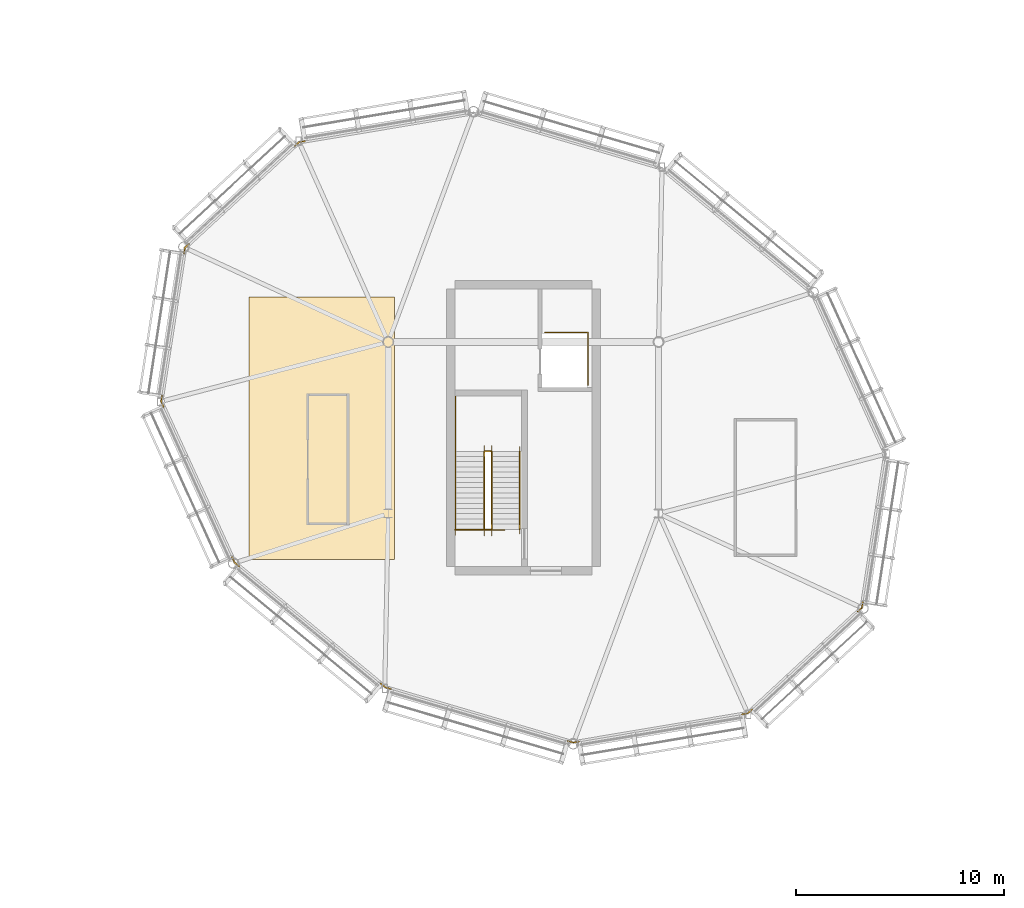
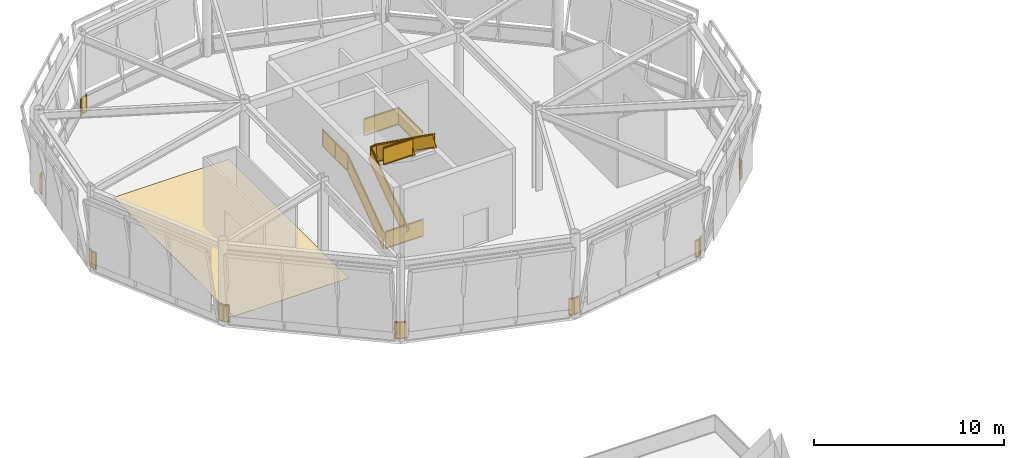
# One storey, part 86 of 90: 14 railings, 1 covering.
"""IFC4 building model written with IfcOpenShell, lengths in metres."""

import ifcopenshell
import ifcopenshell.guid

model = None  # the IFC model being written
_history = None  # IfcOwnerHistory: only IFC2X3 demands one
_inside = {}  # id of a spatial element -> (the spatial element, [elements in it])
_under = {}  # id of a project, library or spatial element -> (it, [spatial elements below it])
_declared = {}  # id of a project -> (the project, [libraries it declares])
_typed = {}  # id of a type object -> (the type object, [elements of that type])
_made_of = {}  # id of a material, layer set ... -> (it, [elements and type objects made of it])


def new_model(schema):
    """Start an empty IFC model of exactly this schema.

    Asked for "IFC4X3", IfcOpenShell would pick the latest addendum, in which some entities
    have other attributes; the version numbers below select the first issue.
    IFC2X3 requires an IfcOwnerHistory on every rooted entity: one is made here for all.
    """
    global model, _history
    if schema == "IFC4X3":
        model = ifcopenshell.file(schema_version=(4, 3, 0, 0))
    else:
        model = ifcopenshell.file(schema=schema)
    _inside.clear()
    _under.clear()
    _declared.clear()
    _typed.clear()
    _made_of.clear()
    _history = None
    if model.schema == "IFC2X3":
        org = make("IfcOrganization", Name="unknown")
        user = make(
            "IfcPersonAndOrganization",
            ThePerson=make("IfcPerson", FamilyName="unknown"),
            TheOrganization=org,
        )
        app = make(
            "IfcApplication",
            ApplicationDeveloper=org,
            Version="unknown",
            ApplicationFullName="unknown",
            ApplicationIdentifier="unknown",
        )
        _history = make(
            "IfcOwnerHistory",
            OwningUser=user,
            OwningApplication=app,
            ChangeAction="ADDED",
            CreationDate=0,
        )
    return model


def make(cls, **values):
    """One entity of the class cls with the attributes given. An attribute that is None is left unset."""
    return model.create_entity(
        cls, **{name: value for name, value in values.items() if value is not None}
    )


def rooted(cls, **values):
    """An entity with a GlobalId (a new one), such as an element, a storey or a relation."""
    return make(cls, GlobalId=ifcopenshell.guid.new(), OwnerHistory=_history, **values)


def si_unit(unit_type, name, prefix=None):
    """IfcSIUnit, for example si_unit("LENGTHUNIT", "METRE", prefix="MILLI")."""
    return make("IfcSIUnit", UnitType=unit_type, Prefix=prefix, Name=name)


def assignment(units):
    """IfcUnitAssignment: the units of a project."""
    return None if units is None else make("IfcUnitAssignment", Units=units)


def point(xyz):
    """IfcCartesianPoint."""
    return None if xyz is None else make("IfcCartesianPoint", Coordinates=xyz)


def direction(xyz):
    """IfcDirection."""
    return None if xyz is None else make("IfcDirection", DirectionRatios=xyz)


def frame(location, z_axis=None, x_axis=None):
    """IfcAxis2Placement3D, a coordinate frame: its origin and axes. An axis left out is left unset."""
    return make(
        "IfcAxis2Placement3D",
        Location=point(location),
        Axis=direction(z_axis),
        RefDirection=direction(x_axis),
    )


def frame_2d(location, x_axis=None):
    """IfcAxis2Placement2D, a coordinate frame in the plane: its origin and x axis."""
    return make(
        "IfcAxis2Placement2D", Location=point(location), RefDirection=direction(x_axis)
    )


def origin():
    """The frame at (0, 0, 0) with its axes left unset."""
    return frame((0.0, 0.0, 0.0))


def origin_2d():
    """The frame at (0, 0) in the plane with its x axis left unset."""
    return frame_2d((0.0, 0.0))


def place(relative_to, where):
    """IfcLocalPlacement: puts the frame where relative to a parent placement (None: the world)."""
    return make(
        "IfcLocalPlacement", PlacementRelTo=relative_to, RelativePlacement=where
    )


def context(
    kind, dimensions, precision=None, world=None, true_north=None, identifier=None
):
    """IfcGeometricRepresentationContext, for example the 3D "Model" context."""
    return make(
        "IfcGeometricRepresentationContext",
        ContextIdentifier=identifier,
        ContextType=kind,
        CoordinateSpaceDimension=dimensions,
        Precision=precision,
        WorldCoordinateSystem=world,
        TrueNorth=true_north,
    )


def subcontext(parent, identifier, kind, view, scale=None):
    """IfcGeometricRepresentationSubContext, for example "Body" below "Model"."""
    return make(
        "IfcGeometricRepresentationSubContext",
        ContextIdentifier=identifier,
        ContextType=kind,
        ParentContext=parent,
        TargetScale=scale,
        TargetView=view,
    )


def project(units=None, contexts=None):
    """IfcProject with its units and contexts."""
    return rooted(
        "IfcProject",
        Name="project",
        RepresentationContexts=contexts,
        UnitsInContext=assignment(units),
    )


def spatial(cls, under=None, at=None, **own):
    """A site, building, storey or space (cls), placed at a placement, below another one or the project."""
    s = rooted(cls, ObjectPlacement=at, **own)
    if under is not None:
        _under.setdefault(under.id(), (under, []))[1].append(s)
    return s


def polyline(points):
    """IfcPolyline through the points."""
    return make("IfcPolyline", Points=[point(p) for p in points])


def profile(cls, at=None, kind="AREA", **sizes):
    """A parametric profile (cls). Its sizes go by their IFC names, for example OverallWidth=200.0."""
    return make(cls, ProfileType=kind, Position=at, **sizes)


def rectangle(**sizes):
    """IfcRectangleProfileDef."""
    return profile("IfcRectangleProfileDef", **sizes)


def outline(outer, holes=None, kind="AREA"):
    """IfcArbitraryClosedProfileDef: a profile drawn as a closed curve; with holes, ...WithVoids."""
    if holes is None:
        return make("IfcArbitraryClosedProfileDef", ProfileType=kind, OuterCurve=outer)
    return make(
        "IfcArbitraryProfileDefWithVoids",
        ProfileType=kind,
        OuterCurve=outer,
        InnerCurves=holes,
    )


def extrude(swept, where, along, depth):
    """IfcExtrudedAreaSolid: the profile swept, set in the frame where, extruded along a direction by depth."""
    return make(
        "IfcExtrudedAreaSolid",
        SweptArea=swept,
        Position=where,
        ExtrudedDirection=direction(along),
        Depth=depth,
    )


def shape(context_of_items, identifier, shape_type, items):
    """IfcShapeRepresentation: the items that make up one representation, for example the "Body"."""
    return make(
        "IfcShapeRepresentation",
        ContextOfItems=context_of_items,
        RepresentationIdentifier=identifier,
        RepresentationType=shape_type,
        Items=items,
    )


def material(Name=None, Category=None):
    """IfcMaterial."""
    return make("IfcMaterial", Name=Name, Category=Category)


def layer(
    of_material, thickness, ventilated=None, Name=None, Category=None, Priority=None
):
    """IfcMaterialLayer: one layer of a wall or slab, of a material (None: an air gap)."""
    return make(
        "IfcMaterialLayer",
        Material=of_material,
        LayerThickness=thickness,
        IsVentilated=ventilated,
        Name=Name,
        Category=Category,
        Priority=Priority,
    )


def layer_set(layers, Name=None):
    """IfcMaterialLayerSet."""
    return make("IfcMaterialLayerSet", MaterialLayers=layers, LayerSetName=Name)


def made_of(thing, what):
    """Note that an element or type object is made of a material, layer set ...; save() writes the relation."""
    if what is not None:
        _made_of.setdefault(what.id(), (what, []))[1].append(thing)
    return thing


def type_object(cls, material=None, **own):
    """A type object (cls), such as IfcWallType, which elements share."""
    return made_of(rooted(cls, **own), material)


def element(
    cls,
    number,
    at=None,
    inside=None,
    cuts=None,
    type_object=None,
    material=None,
    context=None,
    identifier="Body",
    shape_type=None,
    held_by="IfcProductDefinitionShape",
    body=None,
    shapes=None,
    **own,
):
    """One element of the class cls, such as IfcWall. Its Tag is "e" and its number.

    at: its placement. inside: the storey or other place that contains it. cuts: it is an
    opening in that element (IfcRelVoidsElement). A single representation is given by context,
    identifier, shape_type and body (its items); several are given by shapes. held_by: the class
    of the entity that holds the representations. save() writes the other relations.
    """
    e = rooted(cls, Tag="e%d" % number, ObjectPlacement=at, **own)
    if body is not None:
        shapes = [shape(context, identifier, shape_type, body)]
    if shapes is not None:
        e.Representation = make(held_by, Representations=shapes)
    if inside is not None:
        _inside.setdefault(inside.id(), (inside, []))[1].append(e)
    if cuts is not None:
        rooted(
            "IfcRelVoidsElement", RelatingBuildingElement=cuts, RelatedOpeningElement=e
        )
    if type_object is not None:
        _typed.setdefault(type_object.id(), (type_object, []))[1].append(e)
    return made_of(e, material)


def aggregate(whole, parts):
    """IfcRelAggregates: a whole, such as a stair, and the parts it consists of."""
    return rooted("IfcRelAggregates", RelatingObject=whole, RelatedObjects=parts)


def save(model, path):
    """Write the relations noted so far, then the file.

    IfcRelAggregates (storeys below a building ...), IfcRelContainedInSpatialStructure (elements
    in a storey), IfcRelDefinesByType, IfcRelAssociatesMaterial and IfcRelDeclares: one each for
    every whole, place, type object, material and project.
    """
    for whole, parts in _under.values():
        aggregate(whole, parts)
    for where, things in _inside.values():
        rooted(
            "IfcRelContainedInSpatialStructure",
            RelatedElements=things,
            RelatingStructure=where,
        )
    for kind, things in _typed.values():
        rooted("IfcRelDefinesByType", RelatedObjects=things, RelatingType=kind)
    for what, things in _made_of.values():
        rooted("IfcRelAssociatesMaterial", RelatedObjects=things, RelatingMaterial=what)
    for by, libraries in _declared.values():
        rooted("IfcRelDeclares", RelatingContext=by, RelatedDefinitions=libraries)
    model.write(path)


model = new_model("IFC4")

# Units and contexts
model_context = context("Model", 3, precision=1e-05, world=origin(), true_north=direction((0.0, 1.0)))
body_context = subcontext(model_context, "Body", "Model", "MODEL_VIEW")
ifc_project = project(units=[si_unit("LENGTHUNIT", "METRE"), si_unit("AREAUNIT", "SQUARE_METRE"), si_unit("VOLUMEUNIT", "CUBIC_METRE"), si_unit("PLANEANGLEUNIT", "RADIAN"), si_unit("MASSUNIT", "GRAM", prefix="KILO")], contexts=[model_context])

# Site, building, storey
site_placement = place(None, origin())
site = spatial("IfcSite", under=ifc_project, at=site_placement, CompositionType="ELEMENT")
building_placement = place(site_placement, origin())
building = spatial("IfcBuilding", under=site, at=building_placement, Name="Linyun Crest Stadium", CompositionType="ELEMENT")
storey_placement = place(building_placement, frame((0.0, 0.0, 21.0)))
storey = spatial("IfcBuildingStorey", under=building, at=storey_placement, Name="L05", CompositionType="ELEMENT", Elevation=21.0)

# Covering
ifc_material_1 = material(Name="Polymeric cushioned multi-sport athletic flooring")
ifc_layer = layer(ifc_material_1, 0.01806640625)
ifc_layer_set = layer_set([ifc_layer], Name="Polymeric cushioned multi-sport athletic flooring")
covering_type = type_object("IfcCoveringType", Name="FLR01", PredefinedType="FLOORING", material=ifc_layer_set)
covering_placement = place(storey_placement, origin())
element("IfcCovering", 1, at=covering_placement, inside=storey, type_object=covering_type, Name="Athletic flooring FLR01 52", PredefinedType="FLOORING", context=body_context, shape_type="SweptSolid", body=[
    extrude(outline(polyline([(-86.699951171875, 78.300048828125), (-79.699951171875, 78.300048828125), (-79.699951171875, 90.89990234375), (-86.699951171875, 90.89990234375), (-86.699951171875, 78.300048828125)])), origin(), (0.0, 0.0, 1.0), 0.01806640625),
])

# Railings
ifc_material_2 = material(Name="Galvanized and powder-coated steel bowl safety barrier", Category="steel")
railing_type_1 = type_object("IfcRailingType", Name="GR02", PredefinedType="GUARDRAIL", material=ifc_material_2)
railing_1_placement = place(storey_placement, frame((-57.220947265625, 75.969970703125, 0.0)))
element("IfcRailing", 2, at=railing_1_placement, inside=storey, type_object=railing_type_1, Name="Slab edge balustrade GR02 301", PredefinedType="GUARDRAIL", context=body_context, shape_type="SweptSolid", body=[
    extrude(rectangle(XDim=0.06005859375, YDim=0.06005859375, at=origin_2d()), frame((0.0, 0.0, 1.090087890625), z_axis=(-0.733663907779, -0.67951252411, 0.0), x_axis=(0.67951252411, -0.733663907779, 0.0)), (0.0, 0.0, 1.0), 0.279541015625),
    extrude(rectangle(XDim=0.030029296875, YDim=1.0, at=origin_2d()), frame((0.0, 0.0, 0.56005859375), z_axis=(-0.733663907779, -0.67951252411, 0.0), x_axis=(0.67951252411, -0.733663907779, 0.0)), (0.0, 0.0, 1.0), 0.279541015625),
    extrude(rectangle(XDim=0.06005859375, YDim=0.06005859375, at=origin_2d()), frame((0.0, 0.0, 0.030029296875), z_axis=(-0.733663907779, -0.67951252411, 0.0), x_axis=(0.67951252411, -0.733663907779, 0.0)), (0.0, 0.0, 1.0), 0.279541015625),
    extrude(rectangle(XDim=0.050048828125, YDim=0.050048828125, at=origin_2d()), origin(), (0.0, 0.0, 1.0), 1.1201171875),
    extrude(rectangle(XDim=0.050048828125, YDim=0.050048828125, at=origin_2d()), frame((-0.205078125, -0.18994140625, 0.0)), (0.0, 0.0, 1.0), 1.1201171875),
])
railing_2_placement = place(storey_placement, frame((-62.507080078125, 71.08203125, 0.0)))
element("IfcRailing", 3, at=railing_2_placement, inside=storey, type_object=railing_type_1, Name="Slab edge balustrade GR02 302", PredefinedType="GUARDRAIL", context=body_context, shape_type="SweptSolid", body=[
    extrude(rectangle(XDim=0.06005859375, YDim=0.06005859375, at=origin_2d()), frame((0.0, 0.0, 1.090087890625), z_axis=(-0.734572019785, -0.678530727196, 0.0), x_axis=(0.678530727196, -0.734572019785, 0.0)), (0.0, 0.0, 1.0), 0.283203125),
    extrude(rectangle(XDim=0.030029296875, YDim=1.0, at=origin_2d()), frame((0.0, 0.0, 0.56005859375), z_axis=(-0.734572019785, -0.678530727196, 0.0), x_axis=(0.678530727196, -0.734572019785, 0.0)), (0.0, 0.0, 1.0), 0.283203125),
    extrude(rectangle(XDim=0.06005859375, YDim=0.06005859375, at=origin_2d()), frame((0.0, 0.0, 0.030029296875), z_axis=(-0.734572019785, -0.678530727196, 0.0), x_axis=(0.678530727196, -0.734572019785, 0.0)), (0.0, 0.0, 1.0), 0.283203125),
    extrude(rectangle(XDim=0.06005859375, YDim=0.06005859375, at=origin_2d()), frame((-0.2080078125, -0.192138671875, 1.090087890625), z_axis=(-0.986627241764, -0.1629929011, 0.0), x_axis=(0.1629929011, -0.986627241764, 0.0)), (0.0, 0.0, 1.0), 0.281494140625),
    extrude(rectangle(XDim=0.030029296875, YDim=1.0, at=origin_2d()), frame((-0.2080078125, -0.192138671875, 0.56005859375), z_axis=(-0.986627241764, -0.1629929011, 0.0), x_axis=(0.1629929011, -0.986627241764, 0.0)), (0.0, 0.0, 1.0), 0.281494140625),
    extrude(rectangle(XDim=0.06005859375, YDim=0.06005859375, at=origin_2d()), frame((-0.2080078125, -0.192138671875, 0.030029296875), z_axis=(-0.986627241764, -0.1629929011, 0.0), x_axis=(0.1629929011, -0.986627241764, 0.0)), (0.0, 0.0, 1.0), 0.281494140625),
    extrude(rectangle(XDim=0.050048828125, YDim=0.050048828125, at=origin_2d()), origin(), (0.0, 0.0, 1.0), 1.1201171875),
    extrude(rectangle(XDim=0.050048828125, YDim=0.050048828125, at=origin_2d()), frame((-0.2080078125, -0.192138671875, 0.0)), (0.0, 0.0, 1.0), 1.1201171875),
    extrude(rectangle(XDim=0.050048828125, YDim=0.050048828125, at=origin_2d()), frame((-0.48583984375, -0.238037109375, 0.0)), (0.0, 0.0, 1.0), 1.1201171875),
])
railing_3_placement = place(storey_placement, frame((-70.820068359375, 69.532958984375, 0.0)))
element("IfcRailing", 4, at=railing_3_placement, inside=storey, type_object=railing_type_1, Name="Slab edge balustrade GR02 303", PredefinedType="GUARDRAIL", context=body_context, shape_type="SweptSolid", body=[
    extrude(rectangle(XDim=0.06005859375, YDim=0.06005859375, at=origin_2d()), frame((0.0, 0.0, 1.090087890625), z_axis=(-0.985905166387, -0.167305119144, 0.0), x_axis=(0.167305119144, -0.985905166387, 0.0)), (0.0, 0.0, 1.0), 0.2861328125),
    extrude(rectangle(XDim=0.030029296875, YDim=1.0, at=origin_2d()), frame((0.0, 0.0, 0.56005859375), z_axis=(-0.985905166387, -0.167305119144, 0.0), x_axis=(0.167305119144, -0.985905166387, 0.0)), (0.0, 0.0, 1.0), 0.2861328125),
    extrude(rectangle(XDim=0.06005859375, YDim=0.06005859375, at=origin_2d()), frame((0.0, 0.0, 0.030029296875), z_axis=(-0.985905166387, -0.167305119144, 0.0), x_axis=(0.167305119144, -0.985905166387, 0.0)), (0.0, 0.0, 1.0), 0.2861328125),
    extrude(rectangle(XDim=0.06005859375, YDim=0.06005859375, at=origin_2d()), frame((-0.281982421875, -0.0478515625, 1.090087890625), z_axis=(-0.959406194526, 0.282027931073, 0.0), x_axis=(-0.282027931073, -0.959406194526, 0.0)), (0.0, 0.0, 1.0), 0.28662109375),
    extrude(rectangle(XDim=0.030029296875, YDim=1.0, at=origin_2d()), frame((-0.281982421875, -0.0478515625, 0.56005859375), z_axis=(-0.959406194526, 0.282027931073, 0.0), x_axis=(-0.282027931073, -0.959406194526, 0.0)), (0.0, 0.0, 1.0), 0.28662109375),
    extrude(rectangle(XDim=0.06005859375, YDim=0.06005859375, at=origin_2d()), frame((-0.281982421875, -0.0478515625, 0.030029296875), z_axis=(-0.959406194526, 0.282027931073, 0.0), x_axis=(-0.282027931073, -0.959406194526, 0.0)), (0.0, 0.0, 1.0), 0.28662109375),
    extrude(rectangle(XDim=0.050048828125, YDim=0.050048828125, at=origin_2d()), origin(), (0.0, 0.0, 1.0), 1.1201171875),
    extrude(rectangle(XDim=0.050048828125, YDim=0.050048828125, at=origin_2d()), frame((-0.281982421875, -0.0478515625, 0.0)), (0.0, 0.0, 1.0), 1.1201171875),
    extrude(rectangle(XDim=0.050048828125, YDim=0.050048828125, at=origin_2d()), frame((-0.556884765625, 0.032958984375, 0.0)), (0.0, 0.0, 1.0), 1.1201171875),
])
railing_4_placement = place(storey_placement, frame((-79.861083984375, 72.06005859375, 0.0)))
element("IfcRailing", 5, at=railing_4_placement, inside=storey, type_object=railing_type_1, Name="Slab edge balustrade GR02 304", PredefinedType="GUARDRAIL", context=body_context, shape_type="SweptSolid", body=[
    extrude(rectangle(XDim=0.06005859375, YDim=0.06005859375, at=origin_2d()), frame((0.0, 0.0, 1.090087890625), z_axis=(-0.959446583049, 0.281890500506, 0.0), x_axis=(-0.281890500506, -0.959446583049, 0.0)), (0.0, 0.0, 1.0), 0.28759765625),
    extrude(rectangle(XDim=0.030029296875, YDim=1.0, at=origin_2d()), frame((0.0, 0.0, 0.56005859375), z_axis=(-0.959446583049, 0.281890500506, 0.0), x_axis=(-0.281890500506, -0.959446583049, 0.0)), (0.0, 0.0, 1.0), 0.28759765625),
    extrude(rectangle(XDim=0.06005859375, YDim=0.06005859375, at=origin_2d()), frame((0.0, 0.0, 0.030029296875), z_axis=(-0.959446583049, 0.281890500506, 0.0), x_axis=(-0.281890500506, -0.959446583049, 0.0)), (0.0, 0.0, 1.0), 0.28759765625),
    extrude(rectangle(XDim=0.06005859375, YDim=0.06005859375, at=origin_2d()), frame((-0.27587890625, 0.0810546875, 1.090087890625), z_axis=(-0.771758653069, 0.635915545818, 0.0), x_axis=(-0.635915545818, -0.771758653069, 0.0)), (0.0, 0.0, 1.0), 0.28759765625),
    extrude(rectangle(XDim=0.030029296875, YDim=1.0, at=origin_2d()), frame((-0.27587890625, 0.0810546875, 0.56005859375), z_axis=(-0.771758653069, 0.635915545818, 0.0), x_axis=(-0.635915545818, -0.771758653069, 0.0)), (0.0, 0.0, 1.0), 0.28759765625),
    extrude(rectangle(XDim=0.06005859375, YDim=0.06005859375, at=origin_2d()), frame((-0.27587890625, 0.0810546875, 0.030029296875), z_axis=(-0.771758653069, 0.635915545818, 0.0), x_axis=(-0.635915545818, -0.771758653069, 0.0)), (0.0, 0.0, 1.0), 0.28759765625),
    extrude(rectangle(XDim=0.050048828125, YDim=0.050048828125, at=origin_2d()), origin(), (0.0, 0.0, 1.0), 1.1201171875),
    extrude(rectangle(XDim=0.050048828125, YDim=0.050048828125, at=origin_2d()), frame((-0.27587890625, 0.0810546875, 0.0)), (0.0, 0.0, 1.0), 1.1201171875),
    extrude(rectangle(XDim=0.050048828125, YDim=0.050048828125, at=origin_2d()), frame((-0.497802734375, 0.263916015625, 0.0)), (0.0, 0.0, 1.0), 1.1201171875),
])
railing_5_placement = place(storey_placement, frame((-87.172119140625, 77.965087890625, 0.0)))
element("IfcRailing", 6, at=railing_5_placement, inside=storey, type_object=railing_type_1, Name="Slab edge balustrade GR02 305", PredefinedType="GUARDRAIL", context=body_context, shape_type="SweptSolid", body=[
    extrude(rectangle(XDim=0.06005859375, YDim=0.06005859375, at=origin_2d()), frame((0.0, 0.0, 1.090087890625), z_axis=(-0.77066950633, 0.637235052404, 0.0), x_axis=(-0.637235052404, -0.77066950633, 0.0)), (0.0, 0.0, 1.0), 0.285400390625),
    extrude(rectangle(XDim=0.030029296875, YDim=1.0, at=origin_2d()), frame((0.0, 0.0, 0.56005859375), z_axis=(-0.77066950633, 0.637235052404, 0.0), x_axis=(-0.637235052404, -0.77066950633, 0.0)), (0.0, 0.0, 1.0), 0.285400390625),
    extrude(rectangle(XDim=0.06005859375, YDim=0.06005859375, at=origin_2d()), frame((0.0, 0.0, 0.030029296875), z_axis=(-0.77066950633, 0.637235052404, 0.0), x_axis=(-0.637235052404, -0.77066950633, 0.0)), (0.0, 0.0, 1.0), 0.285400390625),
    extrude(rectangle(XDim=0.06005859375, YDim=0.06005859375, at=origin_2d()), frame((-0.219970703125, 0.181884765625, 1.090087890625), z_axis=(-0.414572445131, 0.910016311798, 0.0), x_axis=(-0.910016311798, -0.414572445131, 0.0)), (0.0, 0.0, 1.0), 0.286865234375),
    extrude(rectangle(XDim=0.030029296875, YDim=1.0, at=origin_2d()), frame((-0.219970703125, 0.181884765625, 0.56005859375), z_axis=(-0.414572445131, 0.910016311798, 0.0), x_axis=(-0.910016311798, -0.414572445131, 0.0)), (0.0, 0.0, 1.0), 0.286865234375),
    extrude(rectangle(XDim=0.06005859375, YDim=0.06005859375, at=origin_2d()), frame((-0.219970703125, 0.181884765625, 0.030029296875), z_axis=(-0.414572445131, 0.910016311798, 0.0), x_axis=(-0.910016311798, -0.414572445131, 0.0)), (0.0, 0.0, 1.0), 0.286865234375),
    extrude(rectangle(XDim=0.050048828125, YDim=0.050048828125, at=origin_2d()), origin(), (0.0, 0.0, 1.0), 1.1201171875),
    extrude(rectangle(XDim=0.050048828125, YDim=0.050048828125, at=origin_2d()), frame((-0.219970703125, 0.181884765625, 0.0)), (0.0, 0.0, 1.0), 1.1201171875),
    extrude(rectangle(XDim=0.050048828125, YDim=0.050048828125, at=origin_2d()), frame((-0.3388671875, 0.44287109375, 0.0)), (0.0, 0.0, 1.0), 1.1201171875),
])
railing_6_placement = place(storey_placement, frame((-90.800048828125, 85.6298828125, 0.0)))
element("IfcRailing", 7, at=railing_6_placement, inside=storey, type_object=railing_type_1, Name="Slab edge balustrade GR02 306", PredefinedType="GUARDRAIL", context=body_context, shape_type="SweptSolid", body=[
    extrude(rectangle(XDim=0.06005859375, YDim=0.06005859375, at=origin_2d()), frame((0.0, 0.0, 1.090087890625), z_axis=(-0.414063441435, 0.910248024698, 0.0), x_axis=(-0.910248024698, -0.414063441435, 0.0)), (0.0, 0.0, 1.0), 0.282470703125),
    extrude(rectangle(XDim=0.030029296875, YDim=1.0, at=origin_2d()), frame((0.0, 0.0, 0.56005859375), z_axis=(-0.414063441435, 0.910248024698, 0.0), x_axis=(-0.910248024698, -0.414063441435, 0.0)), (0.0, 0.0, 1.0), 0.282470703125),
    extrude(rectangle(XDim=0.06005859375, YDim=0.06005859375, at=origin_2d()), frame((0.0, 0.0, 0.030029296875), z_axis=(-0.414063441435, 0.910248024698, 0.0), x_axis=(-0.910248024698, -0.414063441435, 0.0)), (0.0, 0.0, 1.0), 0.282470703125),
    extrude(rectangle(XDim=0.06005859375, YDim=0.06005859375, at=origin_2d()), frame((-0.116943359375, 0.257080078125, 1.090087890625), z_axis=(0.1521871378, 0.988351696052, 0.0), x_axis=(-0.988351696052, 0.1521871378, 0.0)), (0.0, 0.0, 1.0), 0.2822265625),
    extrude(rectangle(XDim=0.030029296875, YDim=1.0, at=origin_2d()), frame((-0.116943359375, 0.257080078125, 0.56005859375), z_axis=(0.1521871378, 0.988351696052, 0.0), x_axis=(-0.988351696052, 0.1521871378, 0.0)), (0.0, 0.0, 1.0), 0.2822265625),
    extrude(rectangle(XDim=0.06005859375, YDim=0.06005859375, at=origin_2d()), frame((-0.116943359375, 0.257080078125, 0.030029296875), z_axis=(0.1521871378, 0.988351696052, 0.0), x_axis=(-0.988351696052, 0.1521871378, 0.0)), (0.0, 0.0, 1.0), 0.2822265625),
    extrude(rectangle(XDim=0.050048828125, YDim=0.050048828125, at=origin_2d()), origin(), (0.0, 0.0, 1.0), 1.1201171875),
    extrude(rectangle(XDim=0.050048828125, YDim=0.050048828125, at=origin_2d()), frame((-0.116943359375, 0.257080078125, 0.0)), (0.0, 0.0, 1.0), 1.1201171875),
    extrude(rectangle(XDim=0.050048828125, YDim=0.050048828125, at=origin_2d()), frame((-0.073974609375, 0.5361328125, 0.0)), (0.0, 0.0, 1.0), 1.1201171875),
])
railing_7_placement = place(storey_placement, frame((-89.821044921875, 93.00390625, 0.0)))
element("IfcRailing", 8, at=railing_7_placement, inside=storey, type_object=railing_type_1, Name="Slab edge balustrade GR02 307", PredefinedType="GUARDRAIL", context=body_context, shape_type="SweptSolid", body=[
    extrude(rectangle(XDim=0.06005859375, YDim=0.06005859375, at=origin_2d()), frame((0.0, 0.0, 1.090087890625), z_axis=(0.150349133385, 0.988632964295, 0.0), x_axis=(-0.988632964295, 0.150349133385, 0.0)), (0.0, 0.0, 1.0), 0.279296875),
    extrude(rectangle(XDim=0.030029296875, YDim=1.0, at=origin_2d()), frame((0.0, 0.0, 0.56005859375), z_axis=(0.150349133385, 0.988632964295, 0.0), x_axis=(-0.988632964295, 0.150349133385, 0.0)), (0.0, 0.0, 1.0), 0.279296875),
    extrude(rectangle(XDim=0.06005859375, YDim=0.06005859375, at=origin_2d()), frame((0.0, 0.0, 0.030029296875), z_axis=(0.150349133385, 0.988632964295, 0.0), x_axis=(-0.988632964295, 0.150349133385, 0.0)), (0.0, 0.0, 1.0), 0.279296875),
    extrude(rectangle(XDim=0.06005859375, YDim=0.06005859375, at=origin_2d()), frame((0.0419921875, 0.276123046875, 1.090087890625), z_axis=(0.733663907779, 0.67951252411, 0.0), x_axis=(-0.67951252411, 0.733663907779, 0.0)), (0.0, 0.0, 1.0), 0.279541015625),
    extrude(rectangle(XDim=0.030029296875, YDim=1.0, at=origin_2d()), frame((0.0419921875, 0.276123046875, 0.56005859375), z_axis=(0.733663907779, 0.67951252411, 0.0), x_axis=(-0.67951252411, 0.733663907779, 0.0)), (0.0, 0.0, 1.0), 0.279541015625),
    extrude(rectangle(XDim=0.06005859375, YDim=0.06005859375, at=origin_2d()), frame((0.0419921875, 0.276123046875, 0.030029296875), z_axis=(0.733663907779, 0.67951252411, 0.0), x_axis=(-0.67951252411, 0.733663907779, 0.0)), (0.0, 0.0, 1.0), 0.279541015625),
    extrude(rectangle(XDim=0.050048828125, YDim=0.050048828125, at=origin_2d()), origin(), (0.0, 0.0, 1.0), 1.1201171875),
    extrude(rectangle(XDim=0.050048828125, YDim=0.050048828125, at=origin_2d()), frame((0.0419921875, 0.276123046875, 0.0)), (0.0, 0.0, 1.0), 1.1201171875),
    extrude(rectangle(XDim=0.050048828125, YDim=0.050048828125, at=origin_2d()), frame((0.2470703125, 0.466064453125, 0.0)), (0.0, 0.0, 1.0), 1.1201171875),
])
railing_8_placement = place(storey_placement, frame((-84.492919921875, 98.16796875, 0.0)))
element("IfcRailing", 9, at=railing_8_placement, inside=storey, type_object=railing_type_1, Name="Slab edge balustrade GR02 308", PredefinedType="GUARDRAIL", context=body_context, shape_type="SweptSolid", body=[
    extrude(rectangle(XDim=0.06005859375, YDim=0.06005859375, at=origin_2d()), frame((0.0, 0.0, 1.090087890625), z_axis=(0.734572019785, 0.678530727196, 0.0), x_axis=(-0.678530727196, 0.734572019785, 0.0)), (0.0, 0.0, 1.0), 0.283203125),
    extrude(rectangle(XDim=0.030029296875, YDim=1.0, at=origin_2d()), frame((0.0, 0.0, 0.56005859375), z_axis=(0.734572019785, 0.678530727196, 0.0), x_axis=(-0.678530727196, 0.734572019785, 0.0)), (0.0, 0.0, 1.0), 0.283203125),
    extrude(rectangle(XDim=0.06005859375, YDim=0.06005859375, at=origin_2d()), frame((0.0, 0.0, 0.030029296875), z_axis=(0.734572019785, 0.678530727196, 0.0), x_axis=(-0.678530727196, 0.734572019785, 0.0)), (0.0, 0.0, 1.0), 0.283203125),
    extrude(rectangle(XDim=0.06005859375, YDim=0.06005859375, at=origin_2d()), frame((0.2080078125, 0.192138671875, 1.090087890625), z_axis=(0.986627241764, 0.1629929011, 0.0), x_axis=(-0.1629929011, 0.986627241764, 0.0)), (0.0, 0.0, 1.0), 0.281494140625),
    extrude(rectangle(XDim=0.030029296875, YDim=1.0, at=origin_2d()), frame((0.2080078125, 0.192138671875, 0.56005859375), z_axis=(0.986627241764, 0.1629929011, 0.0), x_axis=(-0.1629929011, 0.986627241764, 0.0)), (0.0, 0.0, 1.0), 0.281494140625),
    extrude(rectangle(XDim=0.06005859375, YDim=0.06005859375, at=origin_2d()), frame((0.2080078125, 0.192138671875, 0.030029296875), z_axis=(0.986627241764, 0.1629929011, 0.0), x_axis=(-0.1629929011, 0.986627241764, 0.0)), (0.0, 0.0, 1.0), 0.281494140625),
    extrude(rectangle(XDim=0.050048828125, YDim=0.050048828125, at=origin_2d()), origin(), (0.0, 0.0, 1.0), 1.1201171875),
    extrude(rectangle(XDim=0.050048828125, YDim=0.050048828125, at=origin_2d()), frame((0.2080078125, 0.192138671875, 0.0)), (0.0, 0.0, 1.0), 1.1201171875),
    extrude(rectangle(XDim=0.050048828125, YDim=0.050048828125, at=origin_2d()), frame((0.48583984375, 0.238037109375, 0.0)), (0.0, 0.0, 1.0), 1.1201171875),
])
railing_9_placement = place(storey_placement, frame((-57.178955078125, 76.24609375, 0.0)))
element("IfcRailing", 10, at=railing_9_placement, inside=storey, type_object=railing_type_1, Name="Slab edge balustrade GR02 313", PredefinedType="GUARDRAIL", context=body_context, shape_type="SweptSolid", body=[
    extrude(rectangle(XDim=0.06005859375, YDim=0.06005859375, at=origin_2d()), frame((0.0, 0.0, 1.090087890625), z_axis=(-0.150349133385, -0.988632964295, 0.0), x_axis=(0.988632964295, -0.150349133385, 0.0)), (0.0, 0.0, 1.0), 0.279296875),
    extrude(rectangle(XDim=0.030029296875, YDim=1.0, at=origin_2d()), frame((0.0, 0.0, 0.56005859375), z_axis=(-0.150349133385, -0.988632964295, 0.0), x_axis=(0.988632964295, -0.150349133385, 0.0)), (0.0, 0.0, 1.0), 0.279296875),
    extrude(rectangle(XDim=0.06005859375, YDim=0.06005859375, at=origin_2d()), frame((0.0, 0.0, 0.030029296875), z_axis=(-0.150349133385, -0.988632964295, 0.0), x_axis=(0.988632964295, -0.150349133385, 0.0)), (0.0, 0.0, 1.0), 0.279296875),
    extrude(rectangle(XDim=0.050048828125, YDim=0.050048828125, at=origin_2d()), origin(), (0.0, 0.0, 1.0), 1.1201171875),
    extrude(rectangle(XDim=0.050048828125, YDim=0.050048828125, at=origin_2d()), frame((-0.0419921875, -0.276123046875, 0.0)), (0.0, 0.0, 1.0), 1.1201171875),
])
railing_10_placement = place(storey_placement, frame((-70.389892578125, 86.68994140625, 0.0)))
element("IfcRailing", 11, at=railing_10_placement, inside=storey, type_object=railing_type_1, Name="Slab edge balustrade GR02 314", PredefinedType="GUARDRAIL", context=body_context, shape_type="SweptSolid", body=[
    extrude(rectangle(XDim=0.06005859375, YDim=0.06005859375, at=origin_2d()), frame((0.0, 0.0, 1.090087890625), z_axis=(0.0, 1.0, 0.0), x_axis=(-1.0, 0.0, 0.0)), (0.0, 0.0, 1.0), 2.52001953125),
    extrude(rectangle(XDim=0.030029296875, YDim=1.0, at=origin_2d()), frame((0.0, 0.0, 0.56005859375), z_axis=(0.0, 1.0, 0.0), x_axis=(-1.0, 0.0, 0.0)), (0.0, 0.0, 1.0), 2.52001953125),
    extrude(rectangle(XDim=0.06005859375, YDim=0.06005859375, at=origin_2d()), frame((0.0, 0.0, 0.030029296875), z_axis=(0.0, 1.0, 0.0), x_axis=(-1.0, 0.0, 0.0)), (0.0, 0.0, 1.0), 2.52001953125),
    extrude(rectangle(XDim=0.06005859375, YDim=0.06005859375, at=origin_2d()), frame((0.0, 2.52001953125, 1.090087890625), z_axis=(-1.0, 0.0, 0.0), x_axis=(0.0, -1.0, 0.0)), (0.0, 0.0, 1.0), 2.080078125),
    extrude(rectangle(XDim=0.030029296875, YDim=1.0, at=origin_2d()), frame((0.0, 2.52001953125, 0.56005859375), z_axis=(-1.0, 0.0, 0.0), x_axis=(0.0, -1.0, 0.0)), (0.0, 0.0, 1.0), 2.080078125),
    extrude(rectangle(XDim=0.06005859375, YDim=0.06005859375, at=origin_2d()), frame((0.0, 2.52001953125, 0.030029296875), z_axis=(-1.0, 0.0, 0.0), x_axis=(0.0, -1.0, 0.0)), (0.0, 0.0, 1.0), 2.080078125),
    extrude(rectangle(XDim=0.050048828125, YDim=0.050048828125, at=origin_2d()), origin(), (0.0, 0.0, 1.0), 1.1201171875),
    extrude(rectangle(XDim=0.050048828125, YDim=0.050048828125, at=origin_2d()), frame((0.0, 2.52001953125, 0.0)), (0.0, 0.0, 1.0), 1.1201171875),
    extrude(rectangle(XDim=0.050048828125, YDim=0.050048828125, at=origin_2d()), frame((-2.080078125, 2.52001953125, 0.0)), (0.0, 0.0, 1.0), 1.1201171875),
])
railing_11_placement = place(storey_placement, frame((-76.659912109375, 79.7099609375, 0.0)))
element("IfcRailing", 12, at=railing_11_placement, inside=storey, type_object=railing_type_1, Name="Slab edge balustrade GR02 315", PredefinedType="GUARDRAIL", context=body_context, shape_type="SweptSolid", body=[
    extrude(rectangle(XDim=0.06005859375, YDim=0.06005859375, at=origin_2d()), frame((0.0, 0.0, 1.090087890625), z_axis=(1.0, 0.0, 0.0), x_axis=(0.0, 1.0, 0.0)), (0.0, 0.0, 1.0), 2.260009765625),
    extrude(rectangle(XDim=0.030029296875, YDim=1.0, at=origin_2d()), frame((0.0, 0.0, 0.56005859375), z_axis=(1.0, 0.0, 0.0), x_axis=(0.0, 1.0, 0.0)), (0.0, 0.0, 1.0), 2.260009765625),
    extrude(rectangle(XDim=0.06005859375, YDim=0.06005859375, at=origin_2d()), frame((0.0, 0.0, 0.030029296875), z_axis=(1.0, 0.0, 0.0), x_axis=(0.0, 1.0, 0.0)), (0.0, 0.0, 1.0), 2.260009765625),
    extrude(rectangle(XDim=0.050048828125, YDim=0.050048828125, at=origin_2d()), origin(), (0.0, 0.0, 1.0), 1.1201171875),
    extrude(rectangle(XDim=0.050048828125, YDim=0.050048828125, at=origin_2d()), frame((2.260009765625, 0.0, 0.0)), (0.0, 0.0, 1.0), 1.1201171875),
])
ifc_material_3 = material(Name="Painted steel stairwell safety guard", Category="steel")
railing_type_2 = type_object("IfcRailingType", Name="GR03", PredefinedType="GUARDRAIL", material=ifc_material_3)
railing_12_placement = place(storey_placement, frame((-76.77001953125, 79.739990234375, 0.0)))
element("IfcRailing", 13, at=railing_12_placement, inside=storey, type_object=railing_type_2, Name="STR-11-L05 outer guard", PredefinedType="GUARDRAIL", context=body_context, shape_type="SweptSolid", body=[
    extrude(rectangle(XDim=0.06005859375, YDim=0.06005859375, at=origin_2d()), frame((0.0, 0.0, 1.090087890625), z_axis=(0.0, 0.811539352079, 0.584297766578), x_axis=(-1.0, 0.0, 0.0)), (0.0, 0.0, 1.0), 4.620849609375),
    extrude(rectangle(XDim=0.030029296875, YDim=1.0, at=origin_2d()), frame((0.0, 0.0, 0.56005859375), z_axis=(0.0, 0.811539352079, 0.584297766578), x_axis=(-1.0, 0.0, 0.0)), (0.0, 0.0, 1.0), 4.620849609375),
    extrude(rectangle(XDim=0.06005859375, YDim=0.06005859375, at=origin_2d()), frame((0.0, 0.0, 0.030029296875), z_axis=(0.0, 0.811539352079, 0.584297766578), x_axis=(-1.0, 0.0, 0.0)), (0.0, 0.0, 1.0), 4.620849609375),
    extrude(rectangle(XDim=0.06005859375, YDim=0.06005859375, at=origin_2d()), frame((0.0, 3.75, 3.7900390625), z_axis=(0.0, 1.0, 0.0), x_axis=(-1.0, 0.0, 0.0)), (0.0, 0.0, 1.0), 2.630126953125),
    extrude(rectangle(XDim=0.030029296875, YDim=1.0, at=origin_2d()), frame((0.0, 3.75, 3.260009765625), z_axis=(0.0, 1.0, 0.0), x_axis=(-1.0, 0.0, 0.0)), (0.0, 0.0, 1.0), 2.630126953125),
    extrude(rectangle(XDim=0.06005859375, YDim=0.06005859375, at=origin_2d()), frame((0.0, 3.75, 2.72998046875), z_axis=(0.0, 1.0, 0.0), x_axis=(-1.0, 0.0, 0.0)), (0.0, 0.0, 1.0), 2.630126953125),
    extrude(rectangle(XDim=0.050048828125, YDim=0.050048828125, at=origin_2d()), origin(), (0.0, 0.0, 1.0), 1.1201171875),
    extrude(rectangle(XDim=0.050048828125, YDim=0.050048828125, at=origin_2d()), frame((0.0, 1.25, 0.89990234375)), (0.0, 0.0, 1.0), 1.1201171875),
    extrude(rectangle(XDim=0.050048828125, YDim=0.050048828125, at=origin_2d()), frame((0.0, 2.5, 1.800048828125)), (0.0, 0.0, 1.0), 1.1201171875),
    extrude(rectangle(XDim=0.050048828125, YDim=0.050048828125, at=origin_2d()), frame((0.0, 3.75, 2.699951171875)), (0.0, 0.0, 1.0), 1.1201171875),
    extrude(rectangle(XDim=0.050048828125, YDim=0.050048828125, at=origin_2d()), frame((0.0, 5.06494140625, 2.699951171875)), (0.0, 0.0, 1.0), 1.1201171875),
    extrude(rectangle(XDim=0.050048828125, YDim=0.050048828125, at=origin_2d()), frame((0.0, 6.380126953125, 2.699951171875)), (0.0, 0.0, 1.0), 1.1201171875),
])
railing_13_placement = place(storey_placement, frame((-75.3798828125, 79.719970703125, 0.0)))
element("IfcRailing", 14, at=railing_13_placement, inside=storey, type_object=railing_type_2, Name="STR-11-L05 inner well guard", PredefinedType="GUARDRAIL", context=body_context, shape_type="SweptSolid", body=[
    extrude(rectangle(XDim=0.06005859375, YDim=0.06005859375, at=origin_2d()), frame((0.0, 0.0, 1.090087890625), z_axis=(0.0, 0.813010693788, 0.582248754216), x_axis=(-1.0, 0.0, 0.0)), (0.0, 0.0, 1.0), 4.63720703125),
    extrude(rectangle(XDim=0.030029296875, YDim=1.0, at=origin_2d()), frame((0.0, 0.0, 0.56005859375), z_axis=(0.0, 0.813010693788, 0.582248754216), x_axis=(-1.0, 0.0, 0.0)), (0.0, 0.0, 1.0), 4.63720703125),
    extrude(rectangle(XDim=0.06005859375, YDim=0.06005859375, at=origin_2d()), frame((0.0, 0.0, 0.030029296875), z_axis=(0.0, 0.813010693788, 0.582248754216), x_axis=(-1.0, 0.0, 0.0)), (0.0, 0.0, 1.0), 4.63720703125),
    extrude(rectangle(XDim=0.06005859375, YDim=0.06005859375, at=origin_2d()), frame((0.0, 3.77001953125, 3.7900390625), z_axis=(1.0, 0.0, 0.0), x_axis=(0.0, 1.0, 0.0)), (0.0, 0.0, 1.0), 0.35986328125),
    extrude(rectangle(XDim=0.030029296875, YDim=1.0, at=origin_2d()), frame((0.0, 3.77001953125, 3.260009765625), z_axis=(1.0, 0.0, 0.0), x_axis=(0.0, 1.0, 0.0)), (0.0, 0.0, 1.0), 0.35986328125),
    extrude(rectangle(XDim=0.06005859375, YDim=0.06005859375, at=origin_2d()), frame((0.0, 3.77001953125, 2.72998046875), z_axis=(1.0, 0.0, 0.0), x_axis=(0.0, 1.0, 0.0)), (0.0, 0.0, 1.0), 0.35986328125),
    extrude(rectangle(XDim=0.06005859375, YDim=0.06005859375, at=origin_2d()), frame((0.35986328125, 3.77001953125, 3.7900390625), z_axis=(0.0, -0.813010693788, 0.582248754216), x_axis=(1.0, 0.0, 0.0)), (0.0, 0.0, 1.0), 4.63720703125),
    extrude(rectangle(XDim=0.030029296875, YDim=1.0, at=origin_2d()), frame((0.35986328125, 3.77001953125, 3.260009765625), z_axis=(0.0, -0.813010693788, 0.582248754216), x_axis=(1.0, 0.0, 0.0)), (0.0, 0.0, 1.0), 4.63720703125),
    extrude(rectangle(XDim=0.06005859375, YDim=0.06005859375, at=origin_2d()), frame((0.35986328125, 3.77001953125, 2.72998046875), z_axis=(0.0, -0.813010693788, 0.582248754216), x_axis=(1.0, 0.0, 0.0)), (0.0, 0.0, 1.0), 4.63720703125),
    extrude(rectangle(XDim=0.06005859375, YDim=0.06005859375, at=origin_2d()), frame((0.35986328125, 0.0, 6.489990234375), z_axis=(-1.0, 0.0, 0.0), x_axis=(0.0, -1.0, 0.0)), (0.0, 0.0, 1.0), 1.760009765625),
    extrude(rectangle(XDim=0.030029296875, YDim=1.0, at=origin_2d()), frame((0.35986328125, 0.0, 5.9599609375), z_axis=(-1.0, 0.0, 0.0), x_axis=(0.0, -1.0, 0.0)), (0.0, 0.0, 1.0), 1.760009765625),
    extrude(rectangle(XDim=0.06005859375, YDim=0.06005859375, at=origin_2d()), frame((0.35986328125, 0.0, 5.429931640625), z_axis=(-1.0, 0.0, 0.0), x_axis=(0.0, -1.0, 0.0)), (0.0, 0.0, 1.0), 1.760009765625),
    extrude(rectangle(XDim=0.050048828125, YDim=0.050048828125, at=origin_2d()), origin(), (0.0, 0.0, 1.0), 1.1201171875),
    extrude(rectangle(XDim=0.050048828125, YDim=0.050048828125, at=origin_2d()), frame((0.0, 1.256591796875, 0.89990234375)), (0.0, 0.0, 1.0), 1.1201171875),
    extrude(rectangle(XDim=0.050048828125, YDim=0.050048828125, at=origin_2d()), frame((0.0, 2.513427734375, 1.800048828125)), (0.0, 0.0, 1.0), 1.1201171875),
    extrude(rectangle(XDim=0.050048828125, YDim=0.050048828125, at=origin_2d()), frame((0.0, 3.77001953125, 2.699951171875)), (0.0, 0.0, 1.0), 1.1201171875),
    extrude(rectangle(XDim=0.050048828125, YDim=0.050048828125, at=origin_2d()), frame((0.35986328125, 3.77001953125, 2.699951171875)), (0.0, 0.0, 1.0), 1.1201171875),
    extrude(rectangle(XDim=0.050048828125, YDim=0.050048828125, at=origin_2d()), frame((0.35986328125, 2.513427734375, 3.599853515625)), (0.0, 0.0, 1.0), 1.1201171875),
    extrude(rectangle(XDim=0.050048828125, YDim=0.050048828125, at=origin_2d()), frame((0.35986328125, 1.256591796875, 4.5)), (0.0, 0.0, 1.0), 1.1201171875),
    extrude(rectangle(XDim=0.050048828125, YDim=0.050048828125, at=origin_2d()), frame((0.35986328125, 0.0, 5.39990234375)), (0.0, 0.0, 1.0), 1.1201171875),
    extrude(rectangle(XDim=0.050048828125, YDim=0.050048828125, at=origin_2d()), frame((-1.400146484375, 0.0, 5.39990234375)), (0.0, 0.0, 1.0), 1.1201171875),
])
ifc_material_4 = material(Name="Brushed stainless steel tubular handrail", Category="steel")
railing_type_3 = type_object("IfcRailingType", Name="HR01", PredefinedType="HANDRAIL", material=ifc_material_4)
railing_14_placement = place(storey_placement, frame((-73.679931640625, 83.489990234375, 2.699951171875)))
element("IfcRailing", 15, at=railing_14_placement, inside=storey, type_object=railing_type_3, Name="STR-11-L05 handrail", PredefinedType="HANDRAIL", context=body_context, shape_type="SweptSolid", body=[
    extrude(rectangle(XDim=0.06005859375, YDim=0.06005859375, at=origin_2d()), frame((0.0, 0.0, 0.889892578125), z_axis=(0.0, -0.811539352079, 0.584297766578), x_axis=(1.0, 0.0, 0.0)), (0.0, 0.0, 1.0), 4.620849609375),
    extrude(rectangle(XDim=0.030029296875, YDim=0.7998046875, at=origin_2d()), frame((0.0, 0.0, 0.4599609375), z_axis=(0.0, -0.811539352079, 0.584297766578), x_axis=(1.0, 0.0, 0.0)), (0.0, 0.0, 1.0), 4.620849609375),
    extrude(rectangle(XDim=0.06005859375, YDim=0.06005859375, at=origin_2d()), frame((0.0, 0.0, 0.030029296875), z_axis=(0.0, -0.811539352079, 0.584297766578), x_axis=(1.0, 0.0, 0.0)), (0.0, 0.0, 1.0), 4.620849609375),
    extrude(rectangle(XDim=0.050048828125, YDim=0.050048828125, at=origin_2d()), origin(), (0.0, 0.0, 1.0), 0.919921875),
    extrude(rectangle(XDim=0.050048828125, YDim=0.050048828125, at=origin_2d()), frame((0.0, -1.25, 0.89990234375)), (0.0, 0.0, 1.0), 0.919921875),
    extrude(rectangle(XDim=0.050048828125, YDim=0.050048828125, at=origin_2d()), frame((0.0, -2.5, 1.800048828125)), (0.0, 0.0, 1.0), 0.919921875),
    extrude(rectangle(XDim=0.050048828125, YDim=0.050048828125, at=origin_2d()), frame((0.0, -3.75, 2.699951171875)), (0.0, 0.0, 1.0), 0.919921875),
])

save(model, "model.ifc")
